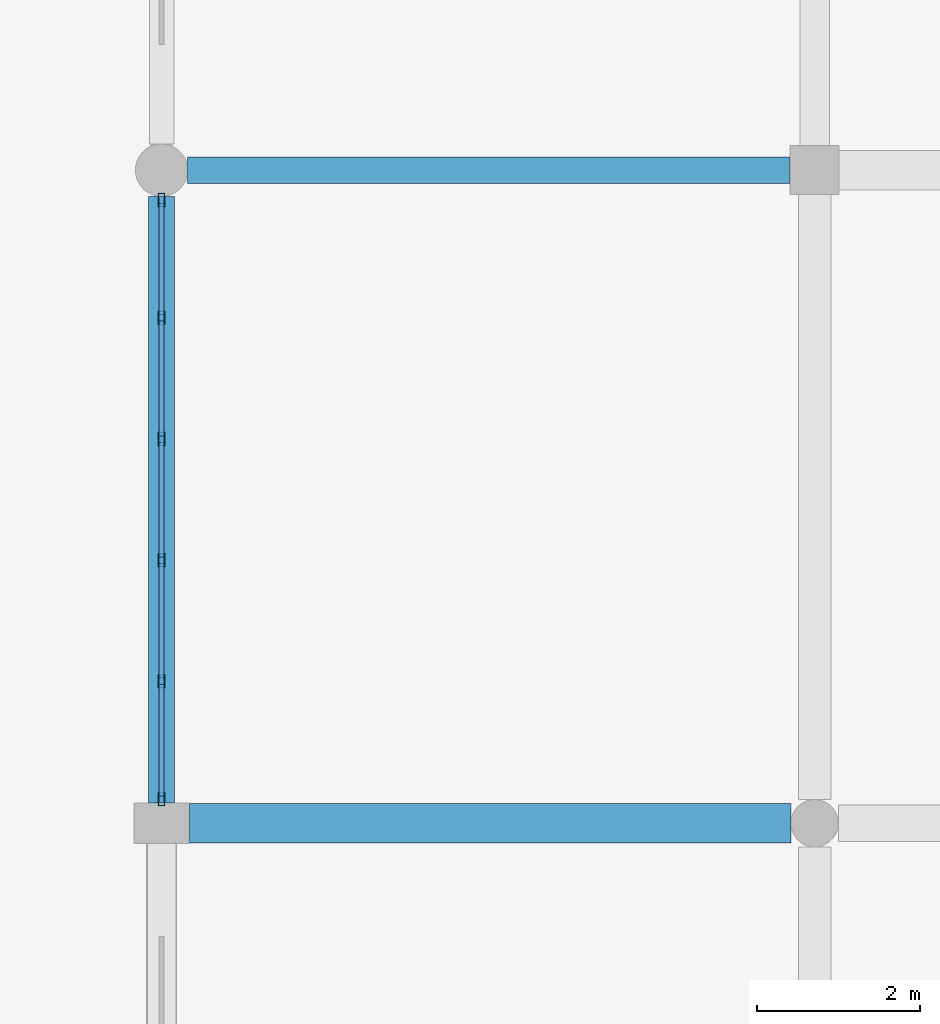
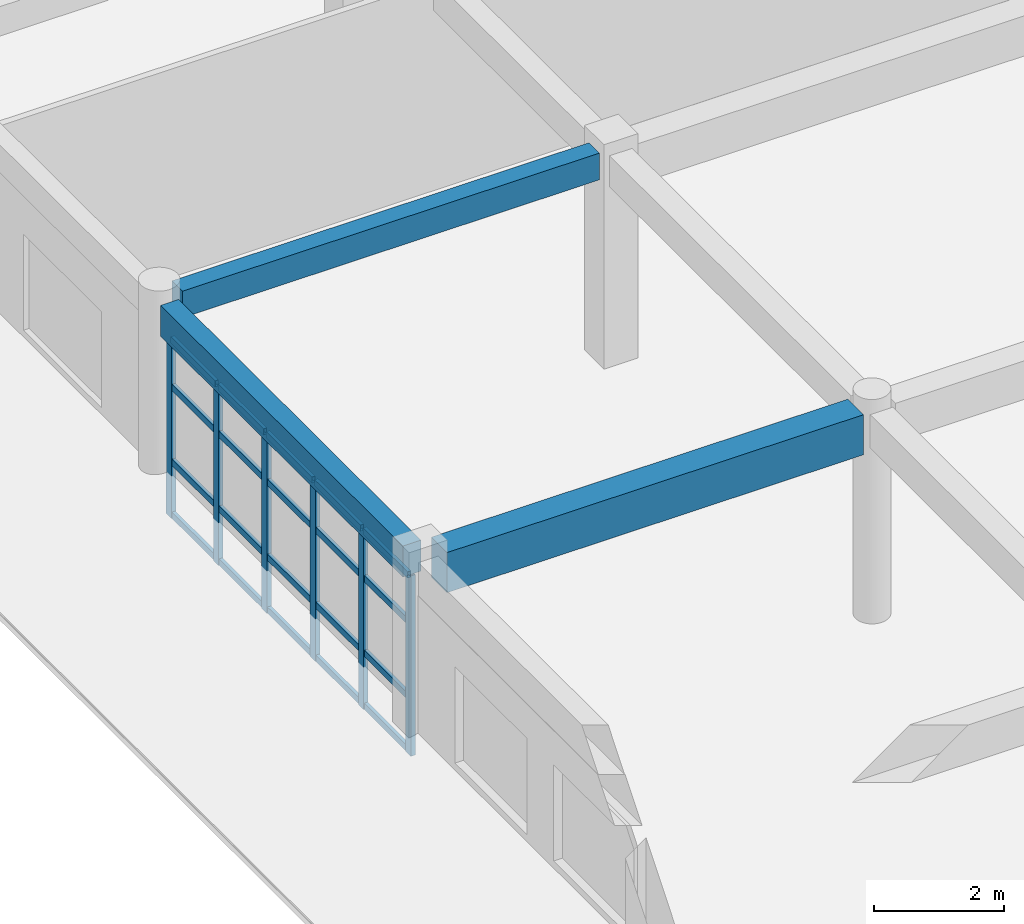
# One storey, part 70 of 121: 26 members, 3 beams, 1 element without a shape of its own.
"""IFC4 building model written with IfcOpenShell, lengths in metres."""

from ifc_helpers import new_model, si_unit, direction, frame, origin, origin_2d, place, context, subcontext, project, spatial, rectangle, hollow_rectangle, extrude, material, material_profile, profile_set, type_object, element, aggregate, save


model = new_model("IFC4")

# Units and contexts
model_context = context("Model", 3, precision=1e-05, world=origin(), true_north=direction((0.0, 1.0)))
body_context = subcontext(model_context, "Body", "Model", "MODEL_VIEW")
ifc_project = project(units=[si_unit("LENGTHUNIT", "METRE"), si_unit("AREAUNIT", "SQUARE_METRE"), si_unit("VOLUMEUNIT", "CUBIC_METRE"), si_unit("PLANEANGLEUNIT", "RADIAN"), si_unit("MASSUNIT", "GRAM", prefix="KILO")], contexts=[model_context])

# Site, building, storey
site_placement = place(None, origin())
site = spatial("IfcSite", under=ifc_project, at=site_placement, CompositionType="ELEMENT")
building_placement = place(site_placement, origin())
building = spatial("IfcBuilding", under=site, at=building_placement, Name="Kharva Crest Polytechnic", CompositionType="ELEMENT")
storey_placement = place(building_placement, frame((0.0, 0.0, 13.199951171875)))
storey = spatial("IfcBuildingStorey", under=building, at=storey_placement, Name="L03", CompositionType="ELEMENT", Elevation=13.199951171875)

# Beams
ifc_material_1 = material(Name="Concrete C35/45", Category="concrete")
ifc_material_profile_1 = material_profile(ifc_material_1, rectangle(XDim=0.320068359375, YDim=0.5, at=origin_2d()), Name="RECT 320 X 500")
ifc_profile_set_1 = profile_set([ifc_material_profile_1], Name="Concrete C35/45")
beam_type_1 = type_object("IfcBeamType", Name="BM-RC-320X500", PredefinedType="BEAM", material=ifc_profile_set_1)
beam_1_placement = place(storey_placement, frame((153.1201171875, 62.800048828125, 3.7099609375), z_axis=(1.0, 0.0, 0.0), x_axis=(0.0, 1.0, 0.0)))
element("IfcBeam", 1, at=beam_1_placement, inside=storey, type_object=beam_type_1, Name="L03 Beam J/20-21", PredefinedType="BEAM", context=body_context, shape_type="SweptSolid", body=[
    extrude(rectangle(XDim=0.320068359375, YDim=0.5, at=origin_2d()), origin(), (0.0, 0.0, 1.0), 7.3798828125),
])
ifc_material_profile_2 = material_profile(ifc_material_1, rectangle(XDim=0.47998046875, YDim=0.75, at=origin_2d()), Name="RECT 480 X 750")
ifc_profile_set_2 = profile_set([ifc_material_profile_2], Name="Concrete C35/45")
beam_type_2 = type_object("IfcBeamType", Name="BM-RC-480X750", PredefinedType="BEAM", material=ifc_profile_set_2)
beam_2_placement = place(storey_placement, frame((153.139892578125, 54.800048828125, 3.5849609375), z_axis=(1.0, 0.0, 0.0), x_axis=(0.0, 1.0, 0.0)))
element("IfcBeam", 2, at=beam_2_placement, inside=storey, type_object=beam_type_2, Name="L03 Beam H/20-21", PredefinedType="BEAM", context=body_context, shape_type="SweptSolid", body=[
    extrude(rectangle(XDim=0.47998046875, YDim=0.75, at=origin_2d()), origin(), (0.0, 0.0, 1.0), 7.3701171875),
])

# Curtain wall, members
ifc_material_2 = material(Name="Tempered insulated glass", Category="glass")
curtain_wall_type = type_object("IfcCurtainWallType", Name="CW-SYS-COURT", PredefinedType="USERDEFINED", material=ifc_material_2)
curtain_wall_placement = place(storey_placement, origin())
curtain_wall = element("IfcCurtainWall", 3, at=curtain_wall_placement, inside=storey, type_object=curtain_wall_type, Name="L03 Glazed Curtain Wall CW-147", ObjectType="CURTAIN WALL", PredefinedType="USERDEFINED")
ifc_material_3 = material(Name="Steel S355", Category="steel")
ifc_material_profile_3 = material_profile(ifc_material_3, hollow_rectangle(XDim=0.080078125, YDim=0.159912109375, WallThickness=0.0048828125, at=origin_2d()), Name="RHS 160X80X5.0")
ifc_profile_set_3 = profile_set([ifc_material_profile_3], Name="Steel S355")
member_type_1 = type_object("IfcMemberType", Name="CWM-RHS160X80", PredefinedType="MULLION", material=ifc_profile_set_3)
member_1_placement = place(storey_placement, frame((152.800048828125, 62.43505859375, 0.0), z_axis=(0.0, 0.0, 1.0), x_axis=(1.0, 0.0, 0.0)))
member_1 = element("IfcMember", 4, at=member_1_placement, type_object=member_type_1, Name="CW-147 mullion 1", PredefinedType="MULLION", context=body_context, shape_type="SweptSolid", body=[
    extrude(hollow_rectangle(XDim=0.080078125, YDim=0.159912109375, WallThickness=0.0048828125, at=origin_2d()), origin(), (0.0, 0.0, 1.0), 3.380126953125),
])
member_2_placement = place(storey_placement, frame((152.800048828125, 60.990966796875, 0.0), z_axis=(0.0, 0.0, 1.0), x_axis=(1.0, 0.0, 0.0)))
member_2 = element("IfcMember", 5, at=member_2_placement, type_object=member_type_1, Name="CW-147 mullion 2", PredefinedType="MULLION", context=body_context, shape_type="SweptSolid", body=[
    extrude(hollow_rectangle(XDim=0.080078125, YDim=0.159912109375, WallThickness=0.0048828125, at=origin_2d()), origin(), (0.0, 0.0, 1.0), 3.380126953125),
])
member_3_placement = place(storey_placement, frame((152.800048828125, 59.507080078125, 0.0), z_axis=(0.0, 0.0, 1.0), x_axis=(1.0, 0.0, 0.0)))
member_3 = element("IfcMember", 6, at=member_3_placement, type_object=member_type_1, Name="CW-147 mullion 3", PredefinedType="MULLION", context=body_context, shape_type="SweptSolid", body=[
    extrude(hollow_rectangle(XDim=0.080078125, YDim=0.159912109375, WallThickness=0.0048828125, at=origin_2d()), origin(), (0.0, 0.0, 1.0), 3.380126953125),
])
member_4_placement = place(storey_placement, frame((152.800048828125, 58.02294921875, 0.0), z_axis=(0.0, 0.0, 1.0), x_axis=(1.0, 0.0, 0.0)))
member_4 = element("IfcMember", 7, at=member_4_placement, type_object=member_type_1, Name="CW-147 mullion 4", PredefinedType="MULLION", context=body_context, shape_type="SweptSolid", body=[
    extrude(hollow_rectangle(XDim=0.080078125, YDim=0.159912109375, WallThickness=0.0048828125, at=origin_2d()), origin(), (0.0, 0.0, 1.0), 3.380126953125),
])
member_5_placement = place(storey_placement, frame((152.800048828125, 56.5390625, 0.0), z_axis=(0.0, 0.0, 1.0), x_axis=(1.0, 0.0, 0.0)))
member_5 = element("IfcMember", 8, at=member_5_placement, type_object=member_type_1, Name="CW-147 mullion 5", PredefinedType="MULLION", context=body_context, shape_type="SweptSolid", body=[
    extrude(hollow_rectangle(XDim=0.080078125, YDim=0.159912109375, WallThickness=0.0048828125, at=origin_2d()), origin(), (0.0, 0.0, 1.0), 3.380126953125),
])
member_6_placement = place(storey_placement, frame((152.800048828125, 55.094970703125, 0.0), z_axis=(0.0, 0.0, 1.0), x_axis=(1.0, 0.0, 0.0)))
member_6 = element("IfcMember", 9, at=member_6_placement, type_object=member_type_1, Name="CW-147 mullion 6", PredefinedType="MULLION", context=body_context, shape_type="SweptSolid", body=[
    extrude(hollow_rectangle(XDim=0.080078125, YDim=0.159912109375, WallThickness=0.0048828125, at=origin_2d()), origin(), (0.0, 0.0, 1.0), 3.380126953125),
])
ifc_material_profile_4 = material_profile(ifc_material_3, hollow_rectangle(XDim=0.06005859375, YDim=0.1201171875, WallThickness=0.00390625, at=origin_2d()), Name="RHS 120X60X4.0")
ifc_profile_set_4 = profile_set([ifc_material_profile_4], Name="Steel S355")
member_type_2 = type_object("IfcMemberType", Name="CWT-RHS120X60", PredefinedType="USERDEFINED", material=ifc_profile_set_4)
member_7_placement = place(storey_placement, frame((152.800048828125, 62.39501953125, 0.06005859375), z_axis=(0.0, -1.0, 0.0), x_axis=(1.0, 0.0, 0.0)))
member_7 = element("IfcMember", 10, at=member_7_placement, type_object=member_type_2, Name="CW-147 transom 1.1", ObjectType="TRANSOM", PredefinedType="USERDEFINED", context=body_context, shape_type="SweptSolid", body=[
    extrude(hollow_rectangle(XDim=0.06005859375, YDim=0.1201171875, WallThickness=0.00390625, at=origin_2d()), origin(), (0.0, 0.0, 1.0), 1.364013671875),
])
member_8_placement = place(storey_placement, frame((152.800048828125, 62.39501953125, 1.050048828125), z_axis=(0.0, -1.0, 0.0), x_axis=(1.0, 0.0, 0.0)))
member_8 = element("IfcMember", 11, at=member_8_placement, type_object=member_type_2, Name="CW-147 transom 1.2", ObjectType="TRANSOM", PredefinedType="USERDEFINED", context=body_context, shape_type="SweptSolid", body=[
    extrude(hollow_rectangle(XDim=0.06005859375, YDim=0.1201171875, WallThickness=0.00390625, at=origin_2d()), origin(), (0.0, 0.0, 1.0), 1.364013671875),
])
member_9_placement = place(storey_placement, frame((152.800048828125, 62.39501953125, 2.449951171875), z_axis=(0.0, -1.0, 0.0), x_axis=(1.0, 0.0, 0.0)))
member_9 = element("IfcMember", 12, at=member_9_placement, type_object=member_type_2, Name="CW-147 transom 1.3", ObjectType="TRANSOM", PredefinedType="USERDEFINED", context=body_context, shape_type="SweptSolid", body=[
    extrude(hollow_rectangle(XDim=0.06005859375, YDim=0.1201171875, WallThickness=0.00390625, at=origin_2d()), origin(), (0.0, 0.0, 1.0), 1.364013671875),
])
member_10_placement = place(storey_placement, frame((152.800048828125, 62.39501953125, 3.320068359375), z_axis=(0.0, -1.0, 0.0), x_axis=(1.0, 0.0, 0.0)))
member_10 = element("IfcMember", 13, at=member_10_placement, type_object=member_type_2, Name="CW-147 transom 1.4", ObjectType="TRANSOM", PredefinedType="USERDEFINED", context=body_context, shape_type="SweptSolid", body=[
    extrude(hollow_rectangle(XDim=0.06005859375, YDim=0.1201171875, WallThickness=0.00390625, at=origin_2d()), origin(), (0.0, 0.0, 1.0), 1.364013671875),
])
member_11_placement = place(storey_placement, frame((152.800048828125, 60.950927734375, 0.06005859375), z_axis=(0.0, -1.0, 0.0), x_axis=(1.0, 0.0, 0.0)))
member_11 = element("IfcMember", 14, at=member_11_placement, type_object=member_type_2, Name="CW-147 transom 2.1", ObjectType="TRANSOM", PredefinedType="USERDEFINED", context=body_context, shape_type="SweptSolid", body=[
    extrude(hollow_rectangle(XDim=0.06005859375, YDim=0.1201171875, WallThickness=0.00390625, at=origin_2d()), origin(), (0.0, 0.0, 1.0), 1.40380859375),
])
member_12_placement = place(storey_placement, frame((152.800048828125, 60.950927734375, 1.050048828125), z_axis=(0.0, -1.0, 0.0), x_axis=(1.0, 0.0, 0.0)))
member_12 = element("IfcMember", 15, at=member_12_placement, type_object=member_type_2, Name="CW-147 transom 2.2", ObjectType="TRANSOM", PredefinedType="USERDEFINED", context=body_context, shape_type="SweptSolid", body=[
    extrude(hollow_rectangle(XDim=0.06005859375, YDim=0.1201171875, WallThickness=0.00390625, at=origin_2d()), origin(), (0.0, 0.0, 1.0), 1.40380859375),
])
member_13_placement = place(storey_placement, frame((152.800048828125, 60.950927734375, 2.449951171875), z_axis=(0.0, -1.0, 0.0), x_axis=(1.0, 0.0, 0.0)))
member_13 = element("IfcMember", 16, at=member_13_placement, type_object=member_type_2, Name="CW-147 transom 2.3", ObjectType="TRANSOM", PredefinedType="USERDEFINED", context=body_context, shape_type="SweptSolid", body=[
    extrude(hollow_rectangle(XDim=0.06005859375, YDim=0.1201171875, WallThickness=0.00390625, at=origin_2d()), origin(), (0.0, 0.0, 1.0), 1.40380859375),
])
member_14_placement = place(storey_placement, frame((152.800048828125, 60.950927734375, 3.320068359375), z_axis=(0.0, -1.0, 0.0), x_axis=(1.0, 0.0, 0.0)))
member_14 = element("IfcMember", 17, at=member_14_placement, type_object=member_type_2, Name="CW-147 transom 2.4", ObjectType="TRANSOM", PredefinedType="USERDEFINED", context=body_context, shape_type="SweptSolid", body=[
    extrude(hollow_rectangle(XDim=0.06005859375, YDim=0.1201171875, WallThickness=0.00390625, at=origin_2d()), origin(), (0.0, 0.0, 1.0), 1.40380859375),
])
member_15_placement = place(storey_placement, frame((152.800048828125, 59.467041015625, 0.06005859375), z_axis=(0.0, -1.0, 0.0), x_axis=(1.0, 0.0, 0.0)))
member_15 = element("IfcMember", 18, at=member_15_placement, type_object=member_type_2, Name="CW-147 transom 3.1", ObjectType="TRANSOM", PredefinedType="USERDEFINED", context=body_context, shape_type="SweptSolid", body=[
    extrude(hollow_rectangle(XDim=0.06005859375, YDim=0.1201171875, WallThickness=0.00390625, at=origin_2d()), origin(), (0.0, 0.0, 1.0), 1.404052734375),
])
member_16_placement = place(storey_placement, frame((152.800048828125, 59.467041015625, 1.050048828125), z_axis=(0.0, -1.0, 0.0), x_axis=(1.0, 0.0, 0.0)))
member_16 = element("IfcMember", 19, at=member_16_placement, type_object=member_type_2, Name="CW-147 transom 3.2", ObjectType="TRANSOM", PredefinedType="USERDEFINED", context=body_context, shape_type="SweptSolid", body=[
    extrude(hollow_rectangle(XDim=0.06005859375, YDim=0.1201171875, WallThickness=0.00390625, at=origin_2d()), origin(), (0.0, 0.0, 1.0), 1.404052734375),
])
member_17_placement = place(storey_placement, frame((152.800048828125, 59.467041015625, 2.449951171875), z_axis=(0.0, -1.0, 0.0), x_axis=(1.0, 0.0, 0.0)))
member_17 = element("IfcMember", 20, at=member_17_placement, type_object=member_type_2, Name="CW-147 transom 3.3", ObjectType="TRANSOM", PredefinedType="USERDEFINED", context=body_context, shape_type="SweptSolid", body=[
    extrude(hollow_rectangle(XDim=0.06005859375, YDim=0.1201171875, WallThickness=0.00390625, at=origin_2d()), origin(), (0.0, 0.0, 1.0), 1.404052734375),
])
member_18_placement = place(storey_placement, frame((152.800048828125, 59.467041015625, 3.320068359375), z_axis=(0.0, -1.0, 0.0), x_axis=(1.0, 0.0, 0.0)))
member_18 = element("IfcMember", 21, at=member_18_placement, type_object=member_type_2, Name="CW-147 transom 3.4", ObjectType="TRANSOM", PredefinedType="USERDEFINED", context=body_context, shape_type="SweptSolid", body=[
    extrude(hollow_rectangle(XDim=0.06005859375, YDim=0.1201171875, WallThickness=0.00390625, at=origin_2d()), origin(), (0.0, 0.0, 1.0), 1.404052734375),
])
member_19_placement = place(storey_placement, frame((152.800048828125, 57.98291015625, 0.06005859375), z_axis=(0.0, -1.0, 0.0), x_axis=(1.0, 0.0, 0.0)))
member_19 = element("IfcMember", 22, at=member_19_placement, type_object=member_type_2, Name="CW-147 transom 4.1", ObjectType="TRANSOM", PredefinedType="USERDEFINED", context=body_context, shape_type="SweptSolid", body=[
    extrude(hollow_rectangle(XDim=0.06005859375, YDim=0.1201171875, WallThickness=0.00390625, at=origin_2d()), origin(), (0.0, 0.0, 1.0), 1.40380859375),
])
member_20_placement = place(storey_placement, frame((152.800048828125, 57.98291015625, 1.050048828125), z_axis=(0.0, -1.0, 0.0), x_axis=(1.0, 0.0, 0.0)))
member_20 = element("IfcMember", 23, at=member_20_placement, type_object=member_type_2, Name="CW-147 transom 4.2", ObjectType="TRANSOM", PredefinedType="USERDEFINED", context=body_context, shape_type="SweptSolid", body=[
    extrude(hollow_rectangle(XDim=0.06005859375, YDim=0.1201171875, WallThickness=0.00390625, at=origin_2d()), origin(), (0.0, 0.0, 1.0), 1.40380859375),
])
member_21_placement = place(storey_placement, frame((152.800048828125, 57.98291015625, 2.449951171875), z_axis=(0.0, -1.0, 0.0), x_axis=(1.0, 0.0, 0.0)))
member_21 = element("IfcMember", 24, at=member_21_placement, type_object=member_type_2, Name="CW-147 transom 4.3", ObjectType="TRANSOM", PredefinedType="USERDEFINED", context=body_context, shape_type="SweptSolid", body=[
    extrude(hollow_rectangle(XDim=0.06005859375, YDim=0.1201171875, WallThickness=0.00390625, at=origin_2d()), origin(), (0.0, 0.0, 1.0), 1.40380859375),
])
member_22_placement = place(storey_placement, frame((152.800048828125, 57.98291015625, 3.320068359375), z_axis=(0.0, -1.0, 0.0), x_axis=(1.0, 0.0, 0.0)))
member_22 = element("IfcMember", 25, at=member_22_placement, type_object=member_type_2, Name="CW-147 transom 4.4", ObjectType="TRANSOM", PredefinedType="USERDEFINED", context=body_context, shape_type="SweptSolid", body=[
    extrude(hollow_rectangle(XDim=0.06005859375, YDim=0.1201171875, WallThickness=0.00390625, at=origin_2d()), origin(), (0.0, 0.0, 1.0), 1.40380859375),
])
member_23_placement = place(storey_placement, frame((152.800048828125, 56.4990234375, 0.06005859375), z_axis=(0.0, -1.0, 0.0), x_axis=(1.0, 0.0, 0.0)))
member_23 = element("IfcMember", 26, at=member_23_placement, type_object=member_type_2, Name="CW-147 transom 5.1", ObjectType="TRANSOM", PredefinedType="USERDEFINED", context=body_context, shape_type="SweptSolid", body=[
    extrude(hollow_rectangle(XDim=0.06005859375, YDim=0.1201171875, WallThickness=0.00390625, at=origin_2d()), origin(), (0.0, 0.0, 1.0), 1.364013671875),
])
member_24_placement = place(storey_placement, frame((152.800048828125, 56.4990234375, 1.050048828125), z_axis=(0.0, -1.0, 0.0), x_axis=(1.0, 0.0, 0.0)))
member_24 = element("IfcMember", 27, at=member_24_placement, type_object=member_type_2, Name="CW-147 transom 5.2", ObjectType="TRANSOM", PredefinedType="USERDEFINED", context=body_context, shape_type="SweptSolid", body=[
    extrude(hollow_rectangle(XDim=0.06005859375, YDim=0.1201171875, WallThickness=0.00390625, at=origin_2d()), origin(), (0.0, 0.0, 1.0), 1.364013671875),
])
member_25_placement = place(storey_placement, frame((152.800048828125, 56.4990234375, 2.449951171875), z_axis=(0.0, -1.0, 0.0), x_axis=(1.0, 0.0, 0.0)))
member_25 = element("IfcMember", 28, at=member_25_placement, type_object=member_type_2, Name="CW-147 transom 5.3", ObjectType="TRANSOM", PredefinedType="USERDEFINED", context=body_context, shape_type="SweptSolid", body=[
    extrude(hollow_rectangle(XDim=0.06005859375, YDim=0.1201171875, WallThickness=0.00390625, at=origin_2d()), origin(), (0.0, 0.0, 1.0), 1.364013671875),
])
member_26_placement = place(storey_placement, frame((152.800048828125, 56.4990234375, 3.320068359375), z_axis=(0.0, -1.0, 0.0), x_axis=(1.0, 0.0, 0.0)))
member_26 = element("IfcMember", 29, at=member_26_placement, type_object=member_type_2, Name="CW-147 transom 5.4", ObjectType="TRANSOM", PredefinedType="USERDEFINED", context=body_context, shape_type="SweptSolid", body=[
    extrude(hollow_rectangle(XDim=0.06005859375, YDim=0.1201171875, WallThickness=0.00390625, at=origin_2d()), origin(), (0.0, 0.0, 1.0), 1.364013671875),
])
aggregate(curtain_wall, [member_1, member_2, member_3, member_4, member_5, member_6, member_7, member_8, member_9, member_10, member_11, member_12, member_13, member_14, member_15, member_16, member_17, member_18, member_19, member_20, member_21, member_22, member_23, member_24, member_25, member_26])

# Beam
ifc_material_profile_5 = material_profile(ifc_material_1, rectangle(XDim=0.320068359375, YDim=0.580078125, at=origin_2d()), Name="RECT 320 X 580")
ifc_profile_set_5 = profile_set([ifc_material_profile_5], Name="Concrete C35/45")
beam_type_3 = type_object("IfcBeamType", Name="SP-RC-320X580", PredefinedType="SPANDREL", material=ifc_profile_set_5)
beam_3_placement = place(storey_placement, frame((152.800048828125, 55.050048828125, 3.670166015625), z_axis=(0.0, 1.0, 0.0), x_axis=(-1.0, 0.0, 0.0)))
element("IfcBeam", 30, at=beam_3_placement, inside=storey, type_object=beam_type_3, Name="L03 Girder 20/H-J", PredefinedType="SPANDREL", context=body_context, shape_type="SweptSolid", body=[
    extrude(rectangle(XDim=0.320068359375, YDim=0.580078125, at=origin_2d()), origin(), (0.0, 0.0, 1.0), 7.429931640625),
])

save(model, "model.ifc")
